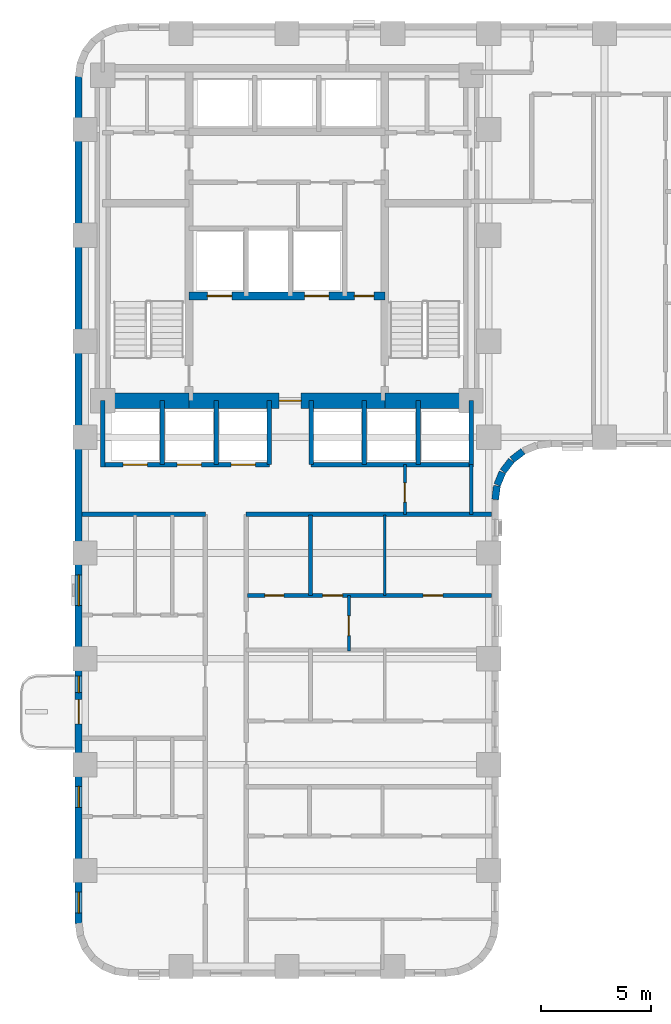
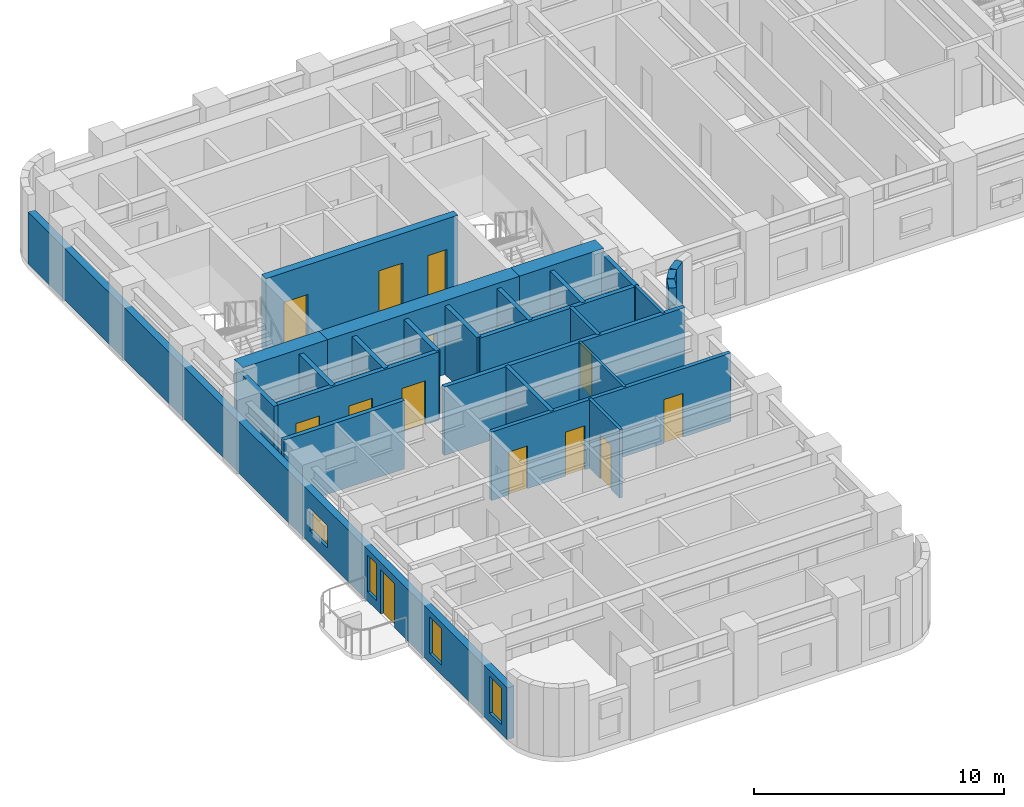
# One storey, part 4 of 11: 27 walls, 13 doors, 4 windows, 17 openings.
"""IFC4 building model written with IfcOpenShell, lengths in metres."""

from ifc_helpers import new_model, si_unit, direction, frame, frame_2d, origin, place, context, subcontext, project, spatial, rectangle, extrude, material, layer, layer_set, type_object, element, fill, save


model = new_model("IFC4")

# Units and contexts
model_context = context("Model", 3, precision=1e-05, world=origin(), true_north=direction((0.0, 1.0)))
body_context = subcontext(model_context, "Body", "Model", "MODEL_VIEW")
ifc_project = project(units=[si_unit("LENGTHUNIT", "METRE"), si_unit("AREAUNIT", "SQUARE_METRE"), si_unit("VOLUMEUNIT", "CUBIC_METRE"), si_unit("PLANEANGLEUNIT", "RADIAN"), si_unit("MASSUNIT", "GRAM", prefix="KILO")], contexts=[model_context])

# Site, building, storey
site_placement = place(None, origin())
site = spatial("IfcSite", under=ifc_project, at=site_placement, CompositionType="ELEMENT")
building_placement = place(site_placement, origin())
building = spatial("IfcBuilding", under=site, at=building_placement, Name="Orvandelia Arch Residences", CompositionType="ELEMENT")
storey_placement = place(building_placement, frame((0.0, 0.0, 89.800048828125)))
storey = spatial("IfcBuildingStorey", under=building, at=storey_placement, Name="L23", CompositionType="ELEMENT", Elevation=89.800048828125)

# Wall, openings, doors
ifc_material_1 = material(Name="Concrete C50/60", Category="concrete")
ifc_layer_1 = layer(ifc_material_1, 0.35009765625, Name="Concrete C50/60", Category="concrete")
ifc_layer_set_1 = layer_set([ifc_layer_1], Name="Concrete C50/60")
wall_type_1 = type_object("IfcWallType", Name="WL-CORE-350", PredefinedType="SHEAR", material=ifc_layer_set_1)
wall_1_placement = place(storey_placement, frame((9.9599609375, 35.64990234375, 0.0), z_axis=(0.0, 0.0, 1.0), x_axis=(1.0, 0.0, 0.0)))
wall_1 = element("IfcWall", 1, at=wall_1_placement, inside=storey, type_object=wall_type_1, Name="Core Shear Wall L23-HZ3", PredefinedType="SHEAR", context=body_context, shape_type="SweptSolid", body=[
    extrude(rectangle(XDim=8.880126953125, YDim=0.35009765625, at=frame_2d((4.43994140625, 0.0))), origin(), (0.0, 0.0, 1.0), 3.599853515625),
])
opening_1_placement = place(wall_1_placement, frame((0.840087890625, 0.0, 0.0)))
opening_1 = element("IfcOpeningElement", 2, at=opening_1_placement, cuts=wall_1, Name="Opening FLD", PredefinedType="OPENING", context=body_context, shape_type="SweptSolid", body=[
    extrude(rectangle(XDim=1.10009765625, YDim=2.14990234375, at=frame_2d((0.550048828125, 1.074951171875))), frame((0.0, 0.18505859375, 0.0), z_axis=(0.0, -1.0, 0.0), x_axis=(1.0, 0.0, 0.0)), (0.0, 0.0, 1.0), 0.3701171875),
])
opening_2_placement = place(wall_1_placement, frame((5.239990234375, 0.0, 0.0)))
opening_2 = element("IfcOpeningElement", 3, at=opening_2_placement, cuts=wall_1, Name="Opening FLD", PredefinedType="OPENING", context=body_context, shape_type="SweptSolid", body=[
    extrude(rectangle(XDim=1.10009765625, YDim=2.14990234375, at=frame_2d((0.550048828125, 1.074951171875))), frame((0.0, 0.18505859375, 0.0), z_axis=(0.0, -1.0, 0.0), x_axis=(1.0, 0.0, 0.0)), (0.0, 0.0, 1.0), 0.3701171875),
])
opening_3_placement = place(wall_1_placement, frame((7.5, 0.0, 0.0)))
opening_3 = element("IfcOpeningElement", 4, at=opening_3_placement, cuts=wall_1, Name="Opening D5", PredefinedType="OPENING", context=body_context, shape_type="SweptSolid", body=[
    extrude(rectangle(XDim=0.8798828125, YDim=2.10009765625, at=frame_2d((0.43994140625, 1.050048828125))), frame((0.0, 0.18505859375, 0.0), z_axis=(0.0, -1.0, 0.0), x_axis=(1.0, 0.0, 0.0)), (0.0, 0.0, 1.0), 0.3701171875),
])
ifc_material_2 = material(Name="Firefighting Lift Stainless Sliding Door")
door_type_1 = type_object("IfcDoorType", Name="DR-FLFT-1100", OperationType="NOTDEFINED", PredefinedType="DOOR", material=ifc_material_2)
door_1_placement = place(opening_1_placement, origin())
door_1 = element("IfcDoor", 5, at=door_1_placement, inside=storey, type_object=door_type_1, Name="Firefighting Lift Landing Door FLD-FL1-L23", OperationType="SLIDING_TO_LEFT", OverallHeight=2.14990234375, OverallWidth=1.10009765625, PredefinedType="DOOR", context=body_context, shape_type="SweptSolid", body=[
    extrude(rectangle(XDim=1.10009765625, YDim=2.14990234375, at=frame_2d((0.550048828125, 1.074951171875))), frame((0.0, 0.02490234375, 0.0), z_axis=(0.0, -1.0, 0.0), x_axis=(1.0, 0.0, 0.0)), (0.0, 0.0, 1.0), 0.050048828125),
])
fill(opening_1, door_1)
door_2_placement = place(opening_2_placement, origin())
door_2 = element("IfcDoor", 6, at=door_2_placement, inside=storey, type_object=door_type_1, Name="Firefighting Lift Landing Door FLD-FL2-L23", OperationType="SLIDING_TO_RIGHT", OverallHeight=2.14990234375, OverallWidth=1.10009765625, PredefinedType="DOOR", context=body_context, shape_type="SweptSolid", body=[
    extrude(rectangle(XDim=1.10009765625, YDim=2.14990234375, at=frame_2d((0.550048828125, 1.074951171875))), frame((0.0, 0.02490234375, 0.0), z_axis=(0.0, -1.0, 0.0), x_axis=(1.0, 0.0, 0.0)), (0.0, 0.0, 1.0), 0.050048828125),
])
fill(opening_2, door_2)
ifc_material_3 = material(Name="Painted Galvanised Steel Service Door", Category="steel")
door_type_2 = type_object("IfcDoorType", Name="DR-SRV-880", OperationType="NOTDEFINED", PredefinedType="DOOR", material=ifc_material_3)
door_3_placement = place(opening_3_placement, origin())
door_3 = element("IfcDoor", 7, at=door_3_placement, inside=storey, type_object=door_type_2, Name="Core Stairway Passage South Fire Door L23", OperationType="SINGLE_SWING_LEFT", OverallHeight=2.10009765625, OverallWidth=0.8798828125, PredefinedType="DOOR", context=body_context, shape_type="SweptSolid", body=[
    extrude(rectangle(XDim=0.8798828125, YDim=2.10009765625, at=frame_2d((0.43994140625, 1.050048828125))), frame((0.0, 0.02490234375, 0.0), z_axis=(0.0, -1.0, 0.0), x_axis=(1.0, 0.0, 0.0)), (0.0, 0.0, 1.0), 0.050048828125),
])
fill(opening_3, door_3)

# Wall
ifc_material_4 = material(Name="Concrete C80/95", Category="concrete")
ifc_layer_2 = layer(ifc_material_4, 0.699951171875, Name="Concrete C80/95", Category="concrete")
ifc_layer_set_2 = layer_set([ifc_layer_2], Name="Concrete C80/95")
wall_type_2 = type_object("IfcWallType", Name="WL-CORE-700", PredefinedType="SHEAR", material=ifc_layer_set_2)
wall_2_placement = place(storey_placement, frame((6.050048828125, 30.89990234375, 0.0), z_axis=(0.0, 0.0, 1.0), x_axis=(1.0, 0.0, 0.0)))
element("IfcWall", 8, at=wall_2_placement, inside=storey, type_object=wall_type_2, Name="Core Shear Wall L23-SW", PredefinedType="SHEAR", context=body_context, shape_type="SweptSolid", body=[
    extrude(rectangle(XDim=3.909912109375, YDim=0.699951171875, at=frame_2d((1.955078125, 0.0))), origin(), (0.0, 0.0, 1.0), 3.599853515625),
])

# Wall, opening, door
wall_3_placement = place(storey_placement, frame((9.9599609375, 30.89990234375, 0.0), z_axis=(0.0, 0.0, 1.0), x_axis=(1.0, 0.0, 0.0)))
wall_3 = element("IfcWall", 9, at=wall_3_placement, inside=storey, type_object=wall_type_2, Name="Core Shear Wall L23-SM", PredefinedType="SHEAR", context=body_context, shape_type="SweptSolid", body=[
    extrude(rectangle(XDim=8.880126953125, YDim=0.699951171875, at=frame_2d((4.43994140625, 0.0))), origin(), (0.0, 0.0, 1.0), 3.599853515625),
])
opening_4_placement = place(wall_3_placement, frame((4.090087890625, 0.0, 0.0)))
opening_4 = element("IfcOpeningElement", 10, at=opening_4_placement, cuts=wall_3, Name="Opening D6", PredefinedType="OPENING", context=body_context, shape_type="SweptSolid", body=[
    extrude(rectangle(XDim=1.0, YDim=2.14990234375, at=frame_2d((0.5, 1.074951171875))), frame((0.0, 0.35986328125, 0.0), z_axis=(0.0, -1.0, 0.0), x_axis=(1.0, 0.0, 0.0)), (0.0, 0.0, 1.0), 0.719970703125),
])
ifc_material_5 = material(Name="Smokeproof Painted Steel Fire Door", Category="steel")
door_type_3 = type_object("IfcDoorType", Name="DR-FD60-1000", OperationType="NOTDEFINED", PredefinedType="DOOR", material=ifc_material_5)
door_4_placement = place(opening_4_placement, origin())
door_4 = element("IfcDoor", 11, at=door_4_placement, inside=storey, type_object=door_type_3, Name="Firefighting Lobby Smokeproof Door L23", OperationType="SINGLE_SWING_LEFT", OverallHeight=2.14990234375, OverallWidth=1.0, PredefinedType="DOOR", context=body_context, shape_type="SweptSolid", body=[
    extrude(rectangle(XDim=1.0, YDim=2.14990234375, at=frame_2d((0.5, 1.074951171875))), frame((0.0, 0.02490234375, 0.0), z_axis=(0.0, -1.0, 0.0), x_axis=(1.0, 0.0, 0.0)), (0.0, 0.0, 1.0), 0.050048828125),
])
fill(opening_4, door_4)

# Walls
wall_4_placement = place(storey_placement, frame((18.840087890625, 30.89990234375, 0.0), z_axis=(0.0, 0.0, 1.0), x_axis=(1.0, 0.0, 0.0)))
element("IfcWall", 12, at=wall_4_placement, inside=storey, type_object=wall_type_2, Name="Core Shear Wall L23-SE", PredefinedType="SHEAR", context=body_context, shape_type="SweptSolid", body=[
    extrude(rectangle(XDim=3.909912109375, YDim=0.699951171875, at=frame_2d((1.955078125, 0.0))), origin(), (0.0, 0.0, 1.0), 3.599853515625),
])
ifc_material_6 = material(Name="Fire-Rated Corridor Partition")
ifc_layer_3 = layer(ifc_material_6, 0.199951171875, Name="Fire-Rated Corridor Partition")
ifc_layer_set_3 = layer_set([ifc_layer_3], Name="Fire-Rated Corridor Partition")
wall_type_3 = type_object("IfcWallType", Name="WL-CORR-200", PredefinedType="PARTITIONING", material=ifc_layer_set_3)
wall_5_placement = place(storey_placement, frame((5.1201171875, 25.75, 0.0), z_axis=(0.0, 0.0, 1.0), x_axis=(1.0, 0.0, 0.0)))
element("IfcWall", 13, at=wall_5_placement, inside=storey, type_object=wall_type_3, Name="Interior Partition Wall WL-L23-WCLS-W", PredefinedType="PARTITIONING", context=body_context, shape_type="SweptSolid", body=[
    extrude(rectangle(XDim=5.579833984375, YDim=0.199951171875, at=frame_2d((2.7900390625, 0.0))), origin(), (0.0, 0.0, 1.0), 3.349853515625),
])
wall_6_placement = place(storey_placement, frame((12.550048828125, 25.75, 0.0), z_axis=(0.0, 0.0, 1.0), x_axis=(1.0, 0.0, 0.0)))
element("IfcWall", 14, at=wall_6_placement, inside=storey, type_object=wall_type_3, Name="Interior Partition Wall WL-L23-WCLS-E", PredefinedType="PARTITIONING", context=body_context, shape_type="SweptSolid", body=[
    extrude(rectangle(XDim=11.1298828125, YDim=0.199951171875, at=frame_2d((5.56494140625, 0.0))), origin(), (0.0, 0.0, 1.0), 3.349853515625),
])
ifc_material_7 = material(Name="Precast concrete C40/50", Category="concrete")
ifc_layer_4 = layer(ifc_material_7, 0.320068359375, Name="Precast concrete C40/50", Category="concrete")
ifc_layer_set_4 = layer_set([ifc_layer_4], Name="Precast concrete C40/50")
wall_type_4 = type_object("IfcWallType", Name="WL-EXT-STONE-320", PredefinedType="STANDARD", material=ifc_layer_set_4)
for number, where, z_axis, x_axis, name in (
    (15, (25.1025390625, 28.60546875, 0.0), (0.0, 0.0, 1.0), (-0.793405610854, -0.608693302629, 0.0), "Coral-Limestone Precast Facade Wall L23-024"),
    (16, (24.575927734375, 28.194580078125, 0.0), (0.0, 0.0, 1.0), (-0.608693302629, -0.793405610854, 0.0), "Coral-Limestone Precast Facade Wall L23-025"),
):
    element("IfcWall", number, at=place(storey_placement, frame(where, z_axis=z_axis, x_axis=x_axis)), inside=storey, type_object=wall_type_4, Name=name, PredefinedType="STANDARD", context=body_context, shape_type="SweptSolid", body=[
        extrude(rectangle(XDim=0.62646484375, YDim=0.320068359375, at=frame_2d((0.313232421875, 0.0))), origin(), (0.0, 0.0, 1.0), 3.349853515625),
    ])
wall_7_placement = place(storey_placement, frame((24.173583984375, 27.6611328125, 0.0), z_axis=(0.0, 0.0, 1.0), x_axis=(-0.382455093999, -0.923974080304, 0.0)))
element("IfcWall", 17, at=wall_7_placement, inside=storey, type_object=wall_type_4, Name="Coral-Limestone Precast Facade Wall L23-026", PredefinedType="STANDARD", context=body_context, shape_type="SweptSolid", body=[
    extrude(rectangle(XDim=0.626220703125, YDim=0.320068359375, at=frame_2d((0.31298828125, 0.0))), origin(), (0.0, 0.0, 1.0), 3.349853515625),
])
wall_8_placement = place(storey_placement, frame((23.923095703125, 27.0419921875, 0.0), z_axis=(0.0, 0.0, 1.0), x_axis=(-0.130555323746, -0.9914410257, 0.0)))
element("IfcWall", 18, at=wall_8_placement, inside=storey, type_object=wall_type_4, Name="Coral-Limestone Precast Facade Wall L23-027", PredefinedType="STANDARD", context=body_context, shape_type="SweptSolid", body=[
    extrude(rectangle(XDim=0.62646484375, YDim=0.320068359375, at=frame_2d((0.313232421875, 0.0))), origin(), (0.0, 0.0, 1.0), 2.530029296875),
])

# Wall, openings, door, windows
wall_9_placement = place(storey_placement, frame((4.9599609375, 7.199951171875, 0.0), z_axis=(0.0, 0.0, 1.0), x_axis=(0.0, 1.0, 0.0)))
wall_9 = element("IfcWall", 19, at=wall_9_placement, inside=storey, type_object=wall_type_4, Name="Coral-Limestone Precast Facade Wall L23-042", PredefinedType="STANDARD", context=body_context, shape_type="SweptSolid", body=[
    extrude(rectangle(XDim=38.400146484375, YDim=0.320068359375, at=frame_2d((19.2001953125, 0.0))), origin(), (0.0, 0.0, 1.0), 2.530029296875),
])
opening_5_placement = place(wall_9_placement, frame((9.050048828125, 0.0, 0.0)))
opening_5 = element("IfcOpeningElement", 20, at=opening_5_placement, cuts=wall_9, Name="Opening BD1", PredefinedType="OPENING", context=body_context, shape_type="SweptSolid", body=[
    extrude(rectangle(XDim=1.10009765625, YDim=2.14990234375, at=frame_2d((0.550048828125, 1.074951171875))), frame((0.0, 0.169921875, 0.0), z_axis=(0.0, -1.0, 0.0), x_axis=(1.0, 0.0, 0.0)), (0.0, 0.0, 1.0), 0.340087890625),
])
opening_6_placement = place(wall_9_placement, frame((5.27001953125, 0.0, 0.449951171875)))
opening_6 = element("IfcOpeningElement", 21, at=opening_6_placement, cuts=wall_9, Name="Opening W4", PredefinedType="OPENING", context=body_context, shape_type="SweptSolid", body=[
    extrude(rectangle(XDim=0.949951171875, YDim=1.800048828125, at=frame_2d((0.47509765625, 0.89990234375))), frame((0.0, 0.169921875, 0.0), z_axis=(0.0, -1.0, 0.0), x_axis=(1.0, 0.0, 0.0)), (0.0, 0.0, 1.0), 0.340087890625),
])
opening_7_placement = place(wall_9_placement, frame((14.409912109375, 0.0, 0.64990234375)))
opening_7 = element("IfcOpeningElement", 22, at=opening_7_placement, cuts=wall_9, Name="Opening W10", PredefinedType="OPENING", context=body_context, shape_type="SweptSolid", body=[
    extrude(rectangle(XDim=1.39990234375, YDim=1.10009765625, at=frame_2d((0.699951171875, 0.550048828125))), frame((0.0, 0.169921875, 0.0), z_axis=(0.0, -1.0, 0.0), x_axis=(1.0, 0.0, 0.0)), (0.0, 0.0, 1.0), 0.340087890625),
])
opening_8_placement = place(wall_9_placement, frame((0.469970703125, 0.0, 0.449951171875)))
opening_8 = element("IfcOpeningElement", 23, at=opening_8_placement, cuts=wall_9, Name="Opening W4", PredefinedType="OPENING", context=body_context, shape_type="SweptSolid", body=[
    extrude(rectangle(XDim=0.949951171875, YDim=1.800048828125, at=frame_2d((0.47509765625, 0.89990234375))), frame((0.0, 0.169921875, 0.0), z_axis=(0.0, -1.0, 0.0), x_axis=(1.0, 0.0, 0.0)), (0.0, 0.0, 1.0), 0.340087890625),
])
opening_9_placement = place(wall_9_placement, frame((10.465087890625, 0.0, 0.449951171875)))
opening_9 = element("IfcOpeningElement", 24, at=opening_9_placement, cuts=wall_9, Name="Opening W11", PredefinedType="OPENING", context=body_context, shape_type="SweptSolid", body=[
    extrude(rectangle(XDim=0.75, YDim=1.800048828125, at=frame_2d((0.375, 0.89990234375))), frame((0.0, 0.169921875, 0.0), z_axis=(0.0, -1.0, 0.0), x_axis=(1.0, 0.0, 0.0)), (0.0, 0.0, 1.0), 0.340087890625),
])
ifc_material_8 = material(Name="Thermally Broken Aluminium Glazed Door", Category="aluminium")
door_type_4 = type_object("IfcDoorType", Name="DR-BAL-GLAZ-1100", OperationType="NOTDEFINED", PredefinedType="DOOR", material=ifc_material_8)
door_5_placement = place(opening_5_placement, origin())
door_5 = element("IfcDoor", 25, at=door_5_placement, inside=storey, type_object=door_type_4, Name="Tree Balcony Glazed Door BAL-L23-W1", OperationType="SINGLE_SWING_RIGHT", OverallHeight=2.14990234375, OverallWidth=1.10009765625, PredefinedType="DOOR", context=body_context, shape_type="SweptSolid", body=[
    extrude(rectangle(XDim=1.10009765625, YDim=2.14990234375, at=frame_2d((0.550048828125, 1.074951171875))), frame((0.0, 0.02490234375, 0.0), z_axis=(0.0, -1.0, 0.0), x_axis=(1.0, 0.0, 0.0)), (0.0, 0.0, 1.0), 0.050048828125),
])
fill(opening_5, door_5)
ifc_material_9 = material(Name="Tempered Low-E Insulated Glazing", Category="glass")
window_type_1 = type_object("IfcWindowType", Name="WIN-BED-0750x1800", PartitioningType="SINGLE_PANEL", PredefinedType="WINDOW", material=ifc_material_9)
window_1_placement = place(opening_9_placement, origin())
window_1 = element("IfcWindow", 26, at=window_1_placement, inside=storey, type_object=window_type_1, Name="Recessed Punched Window L23-029", OverallHeight=1.800048828125, OverallWidth=0.75, PartitioningType="SINGLE_PANEL", PredefinedType="WINDOW", context=body_context, shape_type="SweptSolid", body=[
    extrude(rectangle(XDim=0.75, YDim=1.800048828125, at=frame_2d((0.375, 0.89990234375))), frame((0.0, 0.030029296875, 0.0), z_axis=(0.0, -1.0, 0.0), x_axis=(1.0, 0.0, 0.0)), (0.0, 0.0, 1.0), 0.06005859375),
])
fill(opening_9, window_1)
window_type_2 = type_object("IfcWindowType", Name="WIN-CLR-1400x1100", PartitioningType="SINGLE_PANEL", PredefinedType="WINDOW", material=ifc_material_9)
window_2_placement = place(opening_7_placement, origin())
window_2 = element("IfcWindow", 27, at=window_2_placement, inside=storey, type_object=window_type_2, Name="Recessed Punched Window L23-027", OverallHeight=1.10009765625, OverallWidth=1.39990234375, PartitioningType="SINGLE_PANEL", PredefinedType="WINDOW", context=body_context, shape_type="SweptSolid", body=[
    extrude(rectangle(XDim=1.39990234375, YDim=1.10009765625, at=frame_2d((0.699951171875, 0.550048828125))), frame((0.0, 0.030029296875, 0.0), z_axis=(0.0, -1.0, 0.0), x_axis=(1.0, 0.0, 0.0)), (0.0, 0.0, 1.0), 0.06005859375),
])
fill(opening_7, window_2)
window_type_3 = type_object("IfcWindowType", Name="WIN-RES-0950x1800", PartitioningType="SINGLE_PANEL", PredefinedType="WINDOW", material=ifc_material_9)
window_3_placement = place(opening_6_placement, origin())
window_3 = element("IfcWindow", 28, at=window_3_placement, inside=storey, type_object=window_type_3, Name="Recessed Punched Window L23-026", OverallHeight=1.800048828125, OverallWidth=0.949951171875, PartitioningType="SINGLE_PANEL", PredefinedType="WINDOW", context=body_context, shape_type="SweptSolid", body=[
    extrude(rectangle(XDim=0.949951171875, YDim=1.800048828125, at=frame_2d((0.47509765625, 0.89990234375))), frame((0.0, 0.030029296875, 0.0), z_axis=(0.0, -1.0, 0.0), x_axis=(1.0, 0.0, 0.0)), (0.0, 0.0, 1.0), 0.06005859375),
])
fill(opening_6, window_3)
window_4_placement = place(opening_8_placement, origin())
window_4 = element("IfcWindow", 29, at=window_4_placement, inside=storey, type_object=window_type_3, Name="Recessed Punched Window L23-028", OverallHeight=1.800048828125, OverallWidth=0.949951171875, PartitioningType="SINGLE_PANEL", PredefinedType="WINDOW", context=body_context, shape_type="SweptSolid", body=[
    extrude(rectangle(XDim=0.949951171875, YDim=1.800048828125, at=frame_2d((0.47509765625, 0.89990234375))), frame((0.0, 0.030029296875, 0.0), z_axis=(0.0, -1.0, 0.0), x_axis=(1.0, 0.0, 0.0)), (0.0, 0.0, 1.0), 0.06005859375),
])
fill(opening_8, window_4)

# Wall
ifc_material_10 = material(Name="Lightweight Gypsum Stud Partition")
ifc_layer_5 = layer(ifc_material_10, 0.1201171875, Name="Lightweight Gypsum Stud Partition")
ifc_layer_set_5 = layer_set([ifc_layer_5], Name="Lightweight Gypsum Stud Partition")
wall_type_5 = type_object("IfcWallType", Name="WL-PART-120", PredefinedType="PARTITIONING", material=ifc_layer_set_5)
wall_10_placement = place(storey_placement, frame((18.843017578125, 22.070068359375, 0.0), z_axis=(0.0, 0.0, 1.0), x_axis=(0.0, 1.0, 0.0)))
element("IfcWall", 30, at=wall_10_placement, inside=storey, type_object=wall_type_5, Name="Interior Partition Wall WL-L23-U05-V2", PredefinedType="PARTITIONING", context=body_context, shape_type="SweptSolid", body=[
    extrude(rectangle(XDim=3.64990234375, YDim=0.1201171875, at=frame_2d((1.824951171875, 0.0))), origin(), (0.0, 0.0, 1.0), 3.349853515625),
])

# Wall, opening, door
ifc_material_11 = material(Name="Double-Layer Acoustic Gypsum Partition")
ifc_layer_6 = layer(ifc_material_11, 0.135009765625, Name="Double-Layer Acoustic Gypsum Partition")
ifc_layer_set_6 = layer_set([ifc_layer_6], Name="Double-Layer Acoustic Gypsum Partition")
wall_type_6 = type_object("IfcWallType", Name="WL-PART-135", PredefinedType="PARTITIONING", material=ifc_layer_set_6)
wall_11_placement = place(storey_placement, frame((17.20703125, 19.56005859375, 0.0), z_axis=(0.0, 0.0, 1.0), x_axis=(0.0, 1.0, 0.0)))
wall_11 = element("IfcWall", 31, at=wall_11_placement, inside=storey, type_object=wall_type_6, Name="Interior Partition Wall WL-L23-U05-DIN", PredefinedType="PARTITIONING", context=body_context, shape_type="SweptSolid", body=[
    extrude(rectangle(XDim=2.510009765625, YDim=0.135009765625, at=frame_2d((1.2548828125, 0.0))), origin(), (0.0, 0.0, 1.0), 3.349853515625),
])
opening_10_placement = place(wall_11_placement, frame((0.6884765625, 0.0, 0.0)))
opening_10 = element("IfcOpeningElement", 32, at=opening_10_placement, cuts=wall_11, Name="Opening D3", PredefinedType="OPENING", context=body_context, shape_type="SweptSolid", body=[
    extrude(rectangle(XDim=0.89990234375, YDim=2.14990234375, at=frame_2d((0.449951171875, 1.074951171875))), frame((0.0, 0.07763671875, 0.0), z_axis=(0.0, -1.0, 0.0), x_axis=(1.0, 0.0, 0.0)), (0.0, 0.0, 1.0), 0.155029296875),
])
ifc_material_12 = material(Name="Engineered Timber Flush Door", Category="wood")
door_type_5 = type_object("IfcDoorType", Name="DR-INT-900", OperationType="NOTDEFINED", PredefinedType="DOOR", material=ifc_material_12)
door_6_placement = place(opening_10_placement, origin())
door_6 = element("IfcDoor", 33, at=door_6_placement, inside=storey, type_object=door_type_5, Name="DR-L23-U05-DIN", OperationType="SINGLE_SWING_RIGHT", OverallHeight=2.14990234375, OverallWidth=0.89990234375, PredefinedType="DOOR", context=body_context, shape_type="SweptSolid", body=[
    extrude(rectangle(XDim=0.89990234375, YDim=2.14990234375, at=frame_2d((0.449951171875, 1.074951171875))), frame((0.0, 0.02490234375, 0.0), z_axis=(0.0, -1.0, 0.0), x_axis=(1.0, 0.0, 0.0)), (0.0, 0.0, 1.0), 0.050048828125),
])
fill(opening_10, door_6)

ifc_material_13 = material(Name="Acoustic Gypsum Stud Partition")
ifc_layer_7 = layer(ifc_material_13, 0.14990234375, Name="Acoustic Gypsum Stud Partition")
ifc_layer_set_7 = layer_set([ifc_layer_7], Name="Acoustic Gypsum Stud Partition")
wall_type_7 = type_object("IfcWallType", Name="WL-PART-150", PredefinedType="PARTITIONING", material=ifc_layer_set_7)
wall_12_placement = place(storey_placement, frame((19.75, 25.75, 0.0), z_axis=(0.0, 0.0, 1.0), x_axis=(0.0, 1.0, 0.0)))
wall_12 = element("IfcWall", 34, at=wall_12_placement, inside=storey, type_object=wall_type_7, Name="Interior Partition Wall WL-L23-HLS-EW3", PredefinedType="PARTITIONING", context=body_context, shape_type="SweptSolid", body=[
    extrude(rectangle(XDim=2.25, YDim=0.14990234375, at=frame_2d((1.125, 0.0))), origin(), (0.0, 0.0, 1.0), 3.349853515625),
])
opening_11_placement = place(wall_12_placement, frame((0.550048828125, 0.0, 0.0)))
opening_11 = element("IfcOpeningElement", 35, at=opening_11_placement, cuts=wall_12, Name="Opening D5", PredefinedType="OPENING", context=body_context, shape_type="SweptSolid", body=[
    extrude(rectangle(XDim=0.8798828125, YDim=2.10009765625, at=frame_2d((0.43994140625, 1.050048828125))), frame((0.0, 0.0849609375, 0.0), z_axis=(0.0, -1.0, 0.0), x_axis=(1.0, 0.0, 0.0)), (0.0, 0.0, 1.0), 0.169921875),
])
door_7_placement = place(opening_11_placement, origin())
door_7 = element("IfcDoor", 36, at=door_7_placement, inside=storey, type_object=door_type_2, Name="DR-L23-CSZ1A", OperationType="SINGLE_SWING_RIGHT", OverallHeight=2.10009765625, OverallWidth=0.8798828125, PredefinedType="DOOR", context=body_context, shape_type="SweptSolid", body=[
    extrude(rectangle(XDim=0.8798828125, YDim=2.10009765625, at=frame_2d((0.43994140625, 1.050048828125))), frame((0.0, 0.02490234375, 0.0), z_axis=(0.0, -1.0, 0.0), x_axis=(1.0, 0.0, 0.0)), (0.0, 0.0, 1.0), 0.050048828125),
])
fill(opening_11, door_7)

# Wall
wall_13_placement = place(storey_placement, frame((22.75, 25.75, 0.0), z_axis=(0.0, 0.0, 1.0), x_axis=(0.0, 1.0, 0.0)))
element("IfcWall", 37, at=wall_13_placement, inside=storey, type_object=wall_type_7, Name="Interior Partition Wall WL-L23-HLS-EE", PredefinedType="PARTITIONING", context=body_context, shape_type="SweptSolid", body=[
    extrude(rectangle(XDim=2.25, YDim=0.14990234375, at=frame_2d((1.125, 0.0))), origin(), (0.0, 0.0, 1.0), 3.349853515625),
])

# Wall, openings, doors
ifc_material_14 = material(Name="Fire-Rated Shaft Enclosure Wall")
ifc_layer_8 = layer(ifc_material_14, 0.199951171875, Name="Fire-Rated Shaft Enclosure Wall")
ifc_layer_set_8 = layer_set([ifc_layer_8], Name="Fire-Rated Shaft Enclosure Wall")
wall_type_8 = type_object("IfcWallType", Name="WL-SHAFT-200", PredefinedType="POLYGONAL", material=ifc_layer_set_8)
wall_14_placement = place(storey_placement, frame((6.050048828125, 28.0, 0.0), z_axis=(0.0, 0.0, 1.0), x_axis=(1.0, 0.0, 0.0)))
wall_14 = element("IfcWall", 38, at=wall_14_placement, inside=storey, type_object=wall_type_8, Name="Interior Partition Wall WL-L23-BNKL-S", PredefinedType="POLYGONAL", context=body_context, shape_type="SweptSolid", body=[
    extrude(rectangle(XDim=7.550048828125, YDim=0.199951171875, at=frame_2d((3.77490234375, 0.0))), origin(), (0.0, 0.0, 1.0), 3.349853515625),
])
opening_12_placement = place(wall_14_placement, frame((0.925048828125, 0.0, 0.0)))
opening_12 = element("IfcOpeningElement", 39, at=opening_12_placement, cuts=wall_14, Name="Opening LD", PredefinedType="OPENING", context=body_context, shape_type="SweptSolid", body=[
    extrude(rectangle(XDim=1.10009765625, YDim=2.14990234375, at=frame_2d((0.550048828125, 1.074951171875))), frame((0.0, 0.10986328125, 0.0), z_axis=(0.0, -1.0, 0.0), x_axis=(1.0, 0.0, 0.0)), (0.0, 0.0, 1.0), 0.219970703125),
])
opening_13_placement = place(wall_14_placement, frame((3.375, 0.0, 0.0)))
opening_13 = element("IfcOpeningElement", 40, at=opening_13_placement, cuts=wall_14, Name="Opening LD", PredefinedType="OPENING", context=body_context, shape_type="SweptSolid", body=[
    extrude(rectangle(XDim=1.10009765625, YDim=2.14990234375, at=frame_2d((0.550048828125, 1.074951171875))), frame((0.0, 0.10986328125, 0.0), z_axis=(0.0, -1.0, 0.0), x_axis=(1.0, 0.0, 0.0)), (0.0, 0.0, 1.0), 0.219970703125),
])
opening_14_placement = place(wall_14_placement, frame((5.824951171875, 0.0, 0.0)))
opening_14 = element("IfcOpeningElement", 41, at=opening_14_placement, cuts=wall_14, Name="Opening LD", PredefinedType="OPENING", context=body_context, shape_type="SweptSolid", body=[
    extrude(rectangle(XDim=1.10009765625, YDim=2.14990234375, at=frame_2d((0.550048828125, 1.074951171875))), frame((0.0, 0.10986328125, 0.0), z_axis=(0.0, -1.0, 0.0), x_axis=(1.0, 0.0, 0.0)), (0.0, 0.0, 1.0), 0.219970703125),
])
ifc_material_15 = material(Name="Brushed Stainless Steel Sliding Lift Door", Category="steel")
door_type_6 = type_object("IfcDoorType", Name="DR-LIFT-1100", OperationType="NOTDEFINED", PredefinedType="DOOR", material=ifc_material_15)
door_8_placement = place(opening_12_placement, origin())
door_8 = element("IfcDoor", 42, at=door_8_placement, inside=storey, type_object=door_type_6, Name="Lift Landing Door LD-PL1", OperationType="SLIDING_TO_LEFT", OverallHeight=2.14990234375, OverallWidth=1.10009765625, PredefinedType="DOOR", context=body_context, shape_type="SweptSolid", body=[
    extrude(rectangle(XDim=1.10009765625, YDim=2.14990234375, at=frame_2d((0.550048828125, 1.074951171875))), frame((0.0, 0.02490234375, 0.0), z_axis=(0.0, -1.0, 0.0), x_axis=(1.0, 0.0, 0.0)), (0.0, 0.0, 1.0), 0.050048828125),
])
fill(opening_12, door_8)
door_9_placement = place(opening_13_placement, origin())
door_9 = element("IfcDoor", 43, at=door_9_placement, inside=storey, type_object=door_type_6, Name="Lift Landing Door LD-PL2", OperationType="SLIDING_TO_RIGHT", OverallHeight=2.14990234375, OverallWidth=1.10009765625, PredefinedType="DOOR", context=body_context, shape_type="SweptSolid", body=[
    extrude(rectangle(XDim=1.10009765625, YDim=2.14990234375, at=frame_2d((0.550048828125, 1.074951171875))), frame((0.0, 0.02490234375, 0.0), z_axis=(0.0, -1.0, 0.0), x_axis=(1.0, 0.0, 0.0)), (0.0, 0.0, 1.0), 0.050048828125),
])
fill(opening_13, door_9)
door_10_placement = place(opening_14_placement, origin())
door_10 = element("IfcDoor", 44, at=door_10_placement, inside=storey, type_object=door_type_6, Name="Lift Landing Door LD-PL3", OperationType="SLIDING_TO_LEFT", OverallHeight=2.14990234375, OverallWidth=1.10009765625, PredefinedType="DOOR", context=body_context, shape_type="SweptSolid", body=[
    extrude(rectangle(XDim=1.10009765625, YDim=2.14990234375, at=frame_2d((0.550048828125, 1.074951171875))), frame((0.0, 0.02490234375, 0.0), z_axis=(0.0, -1.0, 0.0), x_axis=(1.0, 0.0, 0.0)), (0.0, 0.0, 1.0), 0.050048828125),
])
fill(opening_14, door_10)

# Walls
wall_15_placement = place(storey_placement, frame((15.5, 28.0, 0.0), z_axis=(0.0, 0.0, 1.0), x_axis=(1.0, 0.0, 0.0)))
element("IfcWall", 45, at=wall_15_placement, inside=storey, type_object=wall_type_8, Name="Interior Partition Wall WL-L23-BNKM-S", PredefinedType="POLYGONAL", context=body_context, shape_type="SweptSolid", body=[
    extrude(rectangle(XDim=7.25, YDim=0.199951171875, at=frame_2d((3.625, 0.0))), origin(), (0.0, 0.0, 1.0), 3.349853515625),
])
for number, where, z_axis, x_axis, name in (
    (46, (6.050048828125, 27.89990234375, 0.0), (0.0, 0.0, 1.0), (0.0, 1.0, 0.0), "Interior Partition Wall WL-L23-BNKL-W"),
    (47, (22.75, 27.89990234375, 0.0), (0.0, 0.0, 1.0), (0.0, 1.0, 0.0), "Interior Partition Wall WL-L23-BNKM-E"),
):
    element("IfcWall", number, at=place(storey_placement, frame(where, z_axis=z_axis, x_axis=x_axis)), inside=storey, type_object=wall_type_8, Name=name, PredefinedType="POLYGONAL", context=body_context, shape_type="SweptSolid", body=[
        extrude(rectangle(XDim=3.0, YDim=0.199951171875, at=frame_2d((1.5, 0.0))), origin(), (0.0, 0.0, 1.0), 3.349853515625),
    ])
for number, where, z_axis, x_axis, name in (
    (48, (13.60009765625, 28.0, 0.0), (0.0, 0.0, 1.0), (0.0, 1.0, 0.0), "Interior Partition Wall WL-L23-BNKL-E"),
    (49, (15.5, 28.0, 0.0), (0.0, 0.0, 1.0), (0.0, 1.0, 0.0), "Interior Partition Wall WL-L23-BNKM-W"),
    (50, (8.75, 28.0, 0.0), (0.0, 0.0, 1.0), (0.0, 1.0, 0.0), "Interior Partition Wall WL-L23-BNKD-875"),
    (51, (11.199951171875, 28.0, 0.0), (0.0, 0.0, 1.0), (0.0, 1.0, 0.0), "Interior Partition Wall WL-L23-BNKD-1120"),
    (52, (17.89990234375, 28.0, 0.0), (0.0, 0.0, 1.0), (0.0, 1.0, 0.0), "Interior Partition Wall WL-L23-BNKD-1789"),
    (53, (20.35009765625, 28.0, 0.0), (0.0, 0.0, 1.0), (0.0, 1.0, 0.0), "Interior Partition Wall WL-L23-BNKD-2035"),
):
    element("IfcWall", number, at=place(storey_placement, frame(where, z_axis=z_axis, x_axis=x_axis)), inside=storey, type_object=wall_type_8, Name=name, PredefinedType="POLYGONAL", context=body_context, shape_type="SweptSolid", body=[
        extrude(rectangle(XDim=2.89990234375, YDim=0.199951171875, at=frame_2d((1.449951171875, 0.0))), origin(), (0.0, 0.0, 1.0), 3.349853515625),
    ])

# Wall, openings, doors
ifc_material_16 = material(Name="Moisture-Resistant Plumbing Wall")
ifc_layer_9 = layer(ifc_material_16, 0.179931640625, Name="Moisture-Resistant Plumbing Wall")
ifc_layer_set_9 = layer_set([ifc_layer_9], Name="Moisture-Resistant Plumbing Wall")
wall_type_9 = type_object("IfcWallType", Name="WL-WET-180", PredefinedType="PLUMBINGWALL", material=ifc_layer_set_9)
wall_16_placement = place(storey_placement, frame((12.610107421875, 22.070068359375, 0.0), z_axis=(0.0, 0.0, 1.0), x_axis=(1.0, 0.0, 0.0)))
wall_16 = element("IfcWall", 54, at=wall_16_placement, inside=storey, type_object=wall_type_9, Name="Interior Partition Wall WL-L23-U05-HZ", PredefinedType="PLUMBINGWALL", context=body_context, shape_type="SweptSolid", body=[
    extrude(rectangle(XDim=11.06982421875, YDim=0.179931640625, at=frame_2d((5.534912109375, 0.0))), origin(), (0.0, 0.0, 1.0), 3.349853515625),
])
opening_15_placement = place(wall_16_placement, frame((0.795166015625, 0.0, 0.0)))
opening_15 = element("IfcOpeningElement", 55, at=opening_15_placement, cuts=wall_16, Name="Opening D4", PredefinedType="OPENING", context=body_context, shape_type="SweptSolid", body=[
    extrude(rectangle(XDim=0.860107421875, YDim=2.10009765625, at=frame_2d((0.43017578125, 1.050048828125))), frame((0.0, 0.10009765625, 0.0), z_axis=(0.0, -1.0, 0.0), x_axis=(1.0, 0.0, 0.0)), (0.0, 0.0, 1.0), 0.199951171875),
])
opening_16_placement = place(wall_16_placement, frame((3.414306640625, 0.0, 0.0)))
opening_16 = element("IfcOpeningElement", 56, at=opening_16_placement, cuts=wall_16, Name="Opening D3", PredefinedType="OPENING", context=body_context, shape_type="SweptSolid", body=[
    extrude(rectangle(XDim=0.89990234375, YDim=2.14990234375, at=frame_2d((0.449951171875, 1.074951171875))), frame((0.0, 0.10009765625, 0.0), z_axis=(0.0, -1.0, 0.0), x_axis=(1.0, 0.0, 0.0)), (0.0, 0.0, 1.0), 0.199951171875),
])
opening_17_placement = place(wall_16_placement, frame((7.964111328125, 0.0, 0.0)))
opening_17 = element("IfcOpeningElement", 57, at=opening_17_placement, cuts=wall_16, Name="Opening D3", PredefinedType="OPENING", context=body_context, shape_type="SweptSolid", body=[
    extrude(rectangle(XDim=0.89990234375, YDim=2.14990234375, at=frame_2d((0.449951171875, 1.074951171875))), frame((0.0, 0.10009765625, 0.0), z_axis=(0.0, -1.0, 0.0), x_axis=(1.0, 0.0, 0.0)), (0.0, 0.0, 1.0), 0.199951171875),
])
door_11_placement = place(opening_16_placement, origin())
door_11 = element("IfcDoor", 58, at=door_11_placement, inside=storey, type_object=door_type_5, Name="DR-L23-U05-KIT", OperationType="SINGLE_SWING_LEFT", OverallHeight=2.14990234375, OverallWidth=0.89990234375, PredefinedType="DOOR", context=body_context, shape_type="SweptSolid", body=[
    extrude(rectangle(XDim=0.89990234375, YDim=2.14990234375, at=frame_2d((0.449951171875, 1.074951171875))), frame((0.0, 0.02490234375, 0.0), z_axis=(0.0, -1.0, 0.0), x_axis=(1.0, 0.0, 0.0)), (0.0, 0.0, 1.0), 0.050048828125),
])
fill(opening_16, door_11)
door_12_placement = place(opening_17_placement, origin())
door_12 = element("IfcDoor", 59, at=door_12_placement, inside=storey, type_object=door_type_5, Name="DR-L23-U05-BD1", OperationType="SINGLE_SWING_RIGHT", OverallHeight=2.14990234375, OverallWidth=0.89990234375, PredefinedType="DOOR", context=body_context, shape_type="SweptSolid", body=[
    extrude(rectangle(XDim=0.89990234375, YDim=2.14990234375, at=frame_2d((0.449951171875, 1.074951171875))), frame((0.0, 0.02490234375, 0.0), z_axis=(0.0, -1.0, 0.0), x_axis=(1.0, 0.0, 0.0)), (0.0, 0.0, 1.0), 0.050048828125),
])
fill(opening_17, door_12)
ifc_material_17 = material(Name="Moisture-Sealed Timber Bathroom Door", Category="wood")
door_type_7 = type_object("IfcDoorType", Name="DR-WET-900", OperationType="NOTDEFINED", PredefinedType="DOOR", material=ifc_material_17)
door_13_placement = place(opening_15_placement, origin())
door_13 = element("IfcDoor", 60, at=door_13_placement, inside=storey, type_object=door_type_7, Name="DR-L23-U05-BTH", OperationType="SINGLE_SWING_RIGHT", OverallHeight=2.10009765625, OverallWidth=0.860107421875, PredefinedType="DOOR", context=body_context, shape_type="SweptSolid", body=[
    extrude(rectangle(XDim=0.860107421875, YDim=2.10009765625, at=frame_2d((0.43017578125, 1.050048828125))), frame((0.0, 0.02490234375, 0.0), z_axis=(0.0, -1.0, 0.0), x_axis=(1.0, 0.0, 0.0)), (0.0, 0.0, 1.0), 0.050048828125),
])
fill(opening_15, door_13)

# Wall
wall_17_placement = place(storey_placement, frame((15.47705078125, 22.070068359375, 0.0), z_axis=(0.0, 0.0, 1.0), x_axis=(0.0, 1.0, 0.0)))
element("IfcWall", 61, at=wall_17_placement, inside=storey, type_object=wall_type_9, Name="Interior Partition Wall WL-L23-U05-V1", PredefinedType="PLUMBINGWALL", context=body_context, shape_type="SweptSolid", body=[
    extrude(rectangle(XDim=3.64990234375, YDim=0.179931640625, at=frame_2d((1.824951171875, 0.0))), origin(), (0.0, 0.0, 1.0), 3.349853515625),
])

save(model, "model.ifc")
